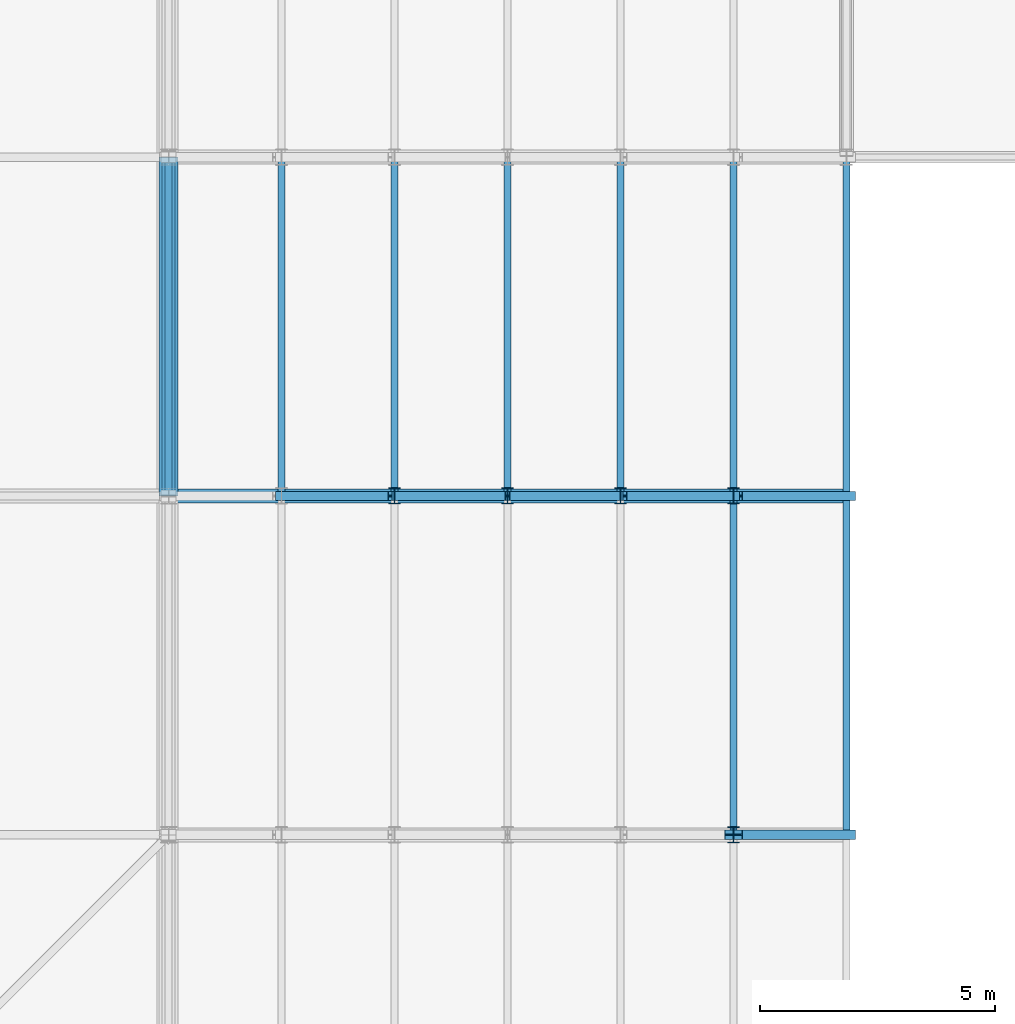
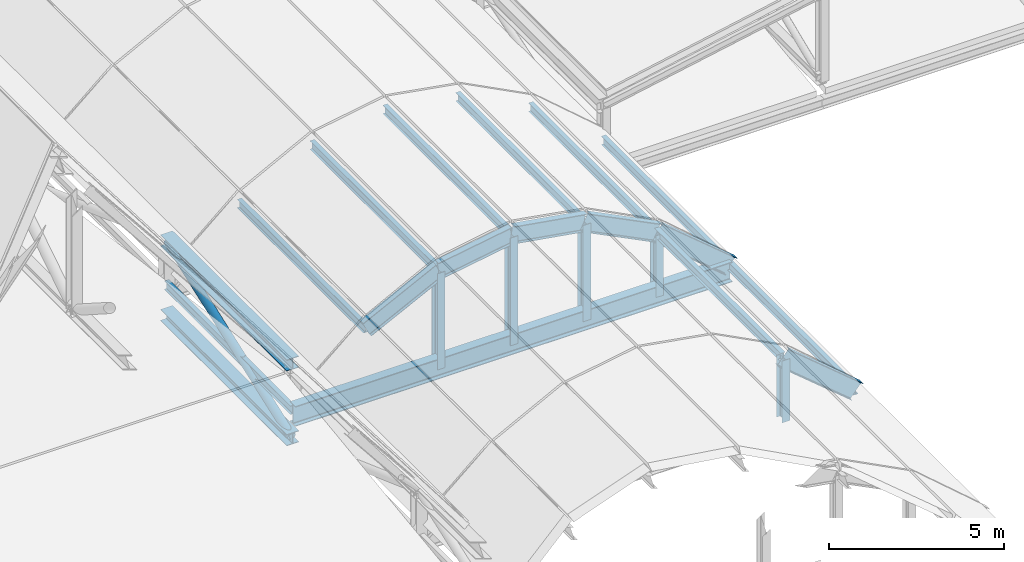
# One storey, part 22 of 60: 23 members, 1 beam.
"""IFC4 building model written with IfcOpenShell, lengths in metres."""

from ifc_helpers import new_model, si_unit, direction, frame, origin, origin_2d, place, context, subcontext, project, spatial, hollow_circle, i_section, extrude, material, material_profile, profile_set, type_object, element, save


model = new_model("IFC4")

# Units and contexts
model_context = context("Model", 3, precision=1e-05, world=origin(), true_north=direction((0.0, 1.0)))
body_context = subcontext(model_context, "Body", "Model", "MODEL_VIEW")
ifc_project = project(units=[si_unit("LENGTHUNIT", "METRE"), si_unit("AREAUNIT", "SQUARE_METRE"), si_unit("VOLUMEUNIT", "CUBIC_METRE"), si_unit("PLANEANGLEUNIT", "RADIAN"), si_unit("MASSUNIT", "GRAM", prefix="KILO")], contexts=[model_context])

# Site, building, storey
site_placement = place(None, origin())
site = spatial("IfcSite", under=ifc_project, at=site_placement, CompositionType="ELEMENT")
building_placement = place(site_placement, origin())
building = spatial("IfcBuilding", under=site, at=building_placement, Name="Vesperath Aquatics Centre", CompositionType="ELEMENT")
storey_placement = place(building_placement, frame((0.0, 0.0, 27.60009765625)))
storey = spatial("IfcBuildingStorey", under=building, at=storey_placement, Name="RF", CompositionType="ELEMENT", Elevation=27.60009765625)

# Beam
ifc_material_1 = material(Name="Steel Q355D", Category="steel")
ifc_material_profile_1 = material_profile(ifc_material_1, i_section(OverallWidth=0.300048828125, OverallDepth=0.699951171875, WebThickness=0.012939453125, FlangeThickness=0.02392578125, FilletRadius=0.028076171875, at=origin_2d()), Name="HN 700x300x13x24")
ifc_profile_set_1 = profile_set([ifc_material_profile_1], Name="Steel Q355D")
beam_type = type_object("IfcBeamType", Name="BM-RB10", PredefinedType="BEAM", material=ifc_profile_set_1)
beam_placement = place(storey_placement, frame((100.800048828125, 57.60009765625, -11.550048828125), z_axis=(1.0, 0.0, 0.0), x_axis=(0.0, 1.0, 0.0)))
element("IfcBeam", 1, at=beam_placement, inside=storey, type_object=beam_type, Name="Conservatory Arch Tie Beam B08 J", PredefinedType="BEAM", context=body_context, shape_type="SweptSolid", body=[
    extrude(i_section(OverallWidth=0.300048828125, OverallDepth=0.699951171875, WebThickness=0.012939453125, FlangeThickness=0.02392578125, FilletRadius=0.028076171875, at=origin_2d()), origin(), (0.0, 0.0, 1.0), 14.39990234375),
])

# Members
ifc_material_profile_2 = material_profile(ifc_material_1, i_section(OverallWidth=0.199951171875, OverallDepth=0.60009765625, WebThickness=0.010986328125, FlangeThickness=0.01708984375, FilletRadius=0.02197265625, at=origin_2d()), Name="HN 600x200x11x17")
ifc_profile_set_2 = profile_set([ifc_material_profile_2], Name="Steel Q355D")
member_type_1 = type_object("IfcMemberType", Name="MB-AR01", PredefinedType="RAFTER", material=ifc_profile_set_2)
member_1_placement = place(storey_placement, frame((112.800048828125, 50.39990234375, -9.400146484375), z_axis=(0.768208468069, 0.0, -0.640199773186), x_axis=(0.0, 1.0, 0.0)))
element("IfcMember", 2, at=member_1_placement, inside=storey, type_object=member_type_1, Name="Conservatory Vault Arch Rib AR01 H-6", PredefinedType="RAFTER", context=body_context, shape_type="SweptSolid", body=[
    extrude(i_section(OverallWidth=0.199951171875, OverallDepth=0.60009765625, WebThickness=0.010986328125, FlangeThickness=0.01708984375, FilletRadius=0.02197265625, at=origin_2d()), origin(), (0.0, 0.0, 1.0), 3.1240234375),
])
member_2_placement = place(storey_placement, frame((103.199951171875, 57.60009765625, -9.400146484375), z_axis=(0.894445386687, 0.0, 0.447177202275), x_axis=(0.0, 1.0, 0.0)))
element("IfcMember", 3, at=member_2_placement, inside=storey, type_object=member_type_1, Name="Conservatory Vault Arch Rib AR01 J-2", PredefinedType="RAFTER", context=body_context, shape_type="SweptSolid", body=[
    extrude(i_section(OverallWidth=0.199951171875, OverallDepth=0.60009765625, WebThickness=0.010986328125, FlangeThickness=0.01708984375, FilletRadius=0.02197265625, at=origin_2d()), origin(), (0.0, 0.0, 1.0), 2.683349609375),
])
for number, where, z_axis, x_axis, name in (
    (4, (105.60009765625, 57.60009765625, -8.2001953125), (0.986383073668, 0.0, 0.16446407505), (0.0, 1.0, 0.0), "Conservatory Vault Arch Rib AR01 J-3"),
    (5, (108.0, 57.60009765625, -7.800048828125), (0.986383073668, 0.0, -0.16446407505), (0.0, 1.0, 0.0), "Conservatory Vault Arch Rib AR01 J-4"),
):
    element("IfcMember", number, at=place(storey_placement, frame(where, z_axis=z_axis, x_axis=x_axis)), inside=storey, type_object=member_type_1, Name=name, PredefinedType="RAFTER", context=body_context, shape_type="SweptSolid", body=[
        extrude(i_section(OverallWidth=0.199951171875, OverallDepth=0.60009765625, WebThickness=0.010986328125, FlangeThickness=0.01708984375, FilletRadius=0.02197265625, at=origin_2d()), origin(), (0.0, 0.0, 1.0), 2.43310546875),
    ])
member_3_placement = place(storey_placement, frame((110.39990234375, 57.60009765625, -8.2001953125), z_axis=(0.894445386687, 0.0, -0.447177202275), x_axis=(0.0, 1.0, 0.0)))
element("IfcMember", 6, at=member_3_placement, inside=storey, type_object=member_type_1, Name="Conservatory Vault Arch Rib AR01 J-5", PredefinedType="RAFTER", context=body_context, shape_type="SweptSolid", body=[
    extrude(i_section(OverallWidth=0.199951171875, OverallDepth=0.60009765625, WebThickness=0.010986328125, FlangeThickness=0.01708984375, FilletRadius=0.02197265625, at=origin_2d()), origin(), (0.0, 0.0, 1.0), 2.683349609375),
])
member_4_placement = place(storey_placement, frame((112.800048828125, 57.60009765625, -9.400146484375), z_axis=(0.768208468069, 0.0, -0.640199773186), x_axis=(0.0, 1.0, 0.0)))
element("IfcMember", 7, at=member_4_placement, inside=storey, type_object=member_type_1, Name="Conservatory Vault Arch Rib AR01 J-6", PredefinedType="RAFTER", context=body_context, shape_type="SweptSolid", body=[
    extrude(i_section(OverallWidth=0.199951171875, OverallDepth=0.60009765625, WebThickness=0.010986328125, FlangeThickness=0.01708984375, FilletRadius=0.02197265625, at=origin_2d()), origin(), (0.0, 0.0, 1.0), 3.1240234375),
])
ifc_material_profile_3 = material_profile(ifc_material_1, i_section(OverallWidth=0.39990234375, OverallDepth=0.39990234375, WebThickness=0.012939453125, FlangeThickness=0.02099609375, FilletRadius=0.02197265625, at=origin_2d()), Name="HW 400x400x13x21")
ifc_profile_set_3 = profile_set([ifc_material_profile_3], Name="Steel Q355D")
member_type_2 = type_object("IfcMemberType", Name="MB-BC01", PredefinedType="CHORD", material=ifc_profile_set_3)
member_5_placement = place(storey_placement, frame((100.800048828125, 57.60009765625, -12.400146484375), z_axis=(0.0, 1.0, 0.0), x_axis=(-1.0, 0.0, 0.0)))
element("IfcMember", 8, at=member_5_placement, inside=storey, type_object=member_type_2, Name="Natatorium ROOF TRUSS Bottom Chord BC01 G15-9", PredefinedType="CHORD", context=body_context, shape_type="SweptSolid", body=[
    extrude(i_section(OverallWidth=0.39990234375, OverallDepth=0.39990234375, WebThickness=0.012939453125, FlangeThickness=0.02099609375, FilletRadius=0.02197265625, at=origin_2d()), origin(), (0.0, 0.0, 1.0), 7.199951171875),
])
ifc_material_2 = material(Name="Steel Q355C", Category="steel")
ifc_material_profile_4 = material_profile(ifc_material_2, i_section(OverallWidth=0.14990234375, OverallDepth=0.300048828125, WebThickness=0.006591796875, FlangeThickness=0.009033203125, FilletRadius=0.012939453125, at=origin_2d()), Name="HN 300x150x6.5x9")
ifc_profile_set_4 = profile_set([ifc_material_profile_4], Name="Steel Q355C")
member_type_3 = type_object("IfcMemberType", Name="MB-PR02", PredefinedType="PURLIN", material=ifc_profile_set_4)
for number, where, z_axis, x_axis, name in (
    (9, (112.800048828125, 50.39990234375, -9.400146484375), (0.0, 1.0, 0.0), (-1.0, 0.0, 0.0), "Conservatory Vault Purlin PR02 H-6"),
    (10, (115.199951171875, 50.39990234375, -11.400146484375), (0.0, 1.0, 0.0), (-1.0, 0.0, 0.0), "Conservatory Vault Purlin PR02 H-7"),
):
    element("IfcMember", number, at=place(storey_placement, frame(where, z_axis=z_axis, x_axis=x_axis)), inside=storey, type_object=member_type_3, Name=name, PredefinedType="PURLIN", context=body_context, shape_type="SweptSolid", body=[
        extrude(i_section(OverallWidth=0.14990234375, OverallDepth=0.300048828125, WebThickness=0.006591796875, FlangeThickness=0.009033203125, FilletRadius=0.012939453125, at=origin_2d()), origin(), (0.0, 0.0, 1.0), 7.2001953125),
    ])
for number, where, z_axis, x_axis, name in (
    (11, (100.800048828125, 57.60009765625, -11.400146484375), (0.0, 1.0, 0.0), (-1.0, 0.0, 0.0), "Conservatory Vault Purlin PR02 J-1"),
    (12, (103.199951171875, 57.60009765625, -9.400146484375), (0.0, 1.0, 0.0), (-1.0, 0.0, 0.0), "Conservatory Vault Purlin PR02 J-2"),
    (13, (105.60009765625, 57.60009765625, -8.2001953125), (0.0, 1.0, 0.0), (-1.0, 0.0, 0.0), "Conservatory Vault Purlin PR02 J-3"),
    (14, (108.0, 57.60009765625, -7.800048828125), (0.0, 1.0, 0.0), (-1.0, 0.0, 0.0), "Conservatory Vault Purlin PR02 J-4"),
    (15, (110.39990234375, 57.60009765625, -8.2001953125), (0.0, 1.0, 0.0), (-1.0, 0.0, 0.0), "Conservatory Vault Purlin PR02 J-5"),
    (16, (112.800048828125, 57.60009765625, -9.400146484375), (0.0, 1.0, 0.0), (-1.0, 0.0, 0.0), "Conservatory Vault Purlin PR02 J-6"),
    (17, (115.199951171875, 57.60009765625, -11.400146484375), (0.0, 1.0, 0.0), (-1.0, 0.0, 0.0), "Conservatory Vault Purlin PR02 J-7"),
):
    element("IfcMember", number, at=place(storey_placement, frame(where, z_axis=z_axis, x_axis=x_axis)), inside=storey, type_object=member_type_3, Name=name, PredefinedType="PURLIN", context=body_context, shape_type="SweptSolid", body=[
        extrude(i_section(OverallWidth=0.14990234375, OverallDepth=0.300048828125, WebThickness=0.006591796875, FlangeThickness=0.009033203125, FilletRadius=0.012939453125, at=origin_2d()), origin(), (0.0, 0.0, 1.0), 7.199951171875),
    ])
ifc_material_profile_5 = material_profile(ifc_material_1, i_section(OverallWidth=0.39990234375, OverallDepth=0.39990234375, WebThickness=0.012939453125, FlangeThickness=0.02099609375, FilletRadius=0.02197265625, at=origin_2d()), Name="HW 400x400x13x21")
ifc_profile_set_5 = profile_set([ifc_material_profile_5], Name="Steel Q355D")
member_type_4 = type_object("IfcMemberType", Name="MB-TC02", PredefinedType="CHORD", material=ifc_profile_set_5)
member_6_placement = place(storey_placement, frame((100.800048828125, 57.60009765625, -9.800048828125), z_axis=(0.0, 1.0, 0.0), x_axis=(-1.0, 0.0, 0.0)))
element("IfcMember", 18, at=member_6_placement, inside=storey, type_object=member_type_4, Name="Natatorium ROOF TRUSS Top Chord TC02 G15-9", PredefinedType="CHORD", context=body_context, shape_type="SweptSolid", body=[
    extrude(i_section(OverallWidth=0.39990234375, OverallDepth=0.39990234375, WebThickness=0.012939453125, FlangeThickness=0.02099609375, FilletRadius=0.02197265625, at=origin_2d()), origin(), (0.0, 0.0, 1.0), 7.199951171875),
])
ifc_material_profile_6 = material_profile(ifc_material_1, hollow_circle(Radius=0.136474609375, WallThickness=0.011962890625, at=origin_2d()), Name="CHS 273.0x12")
ifc_profile_set_6 = profile_set([ifc_material_profile_6], Name="Steel Q355D")
member_type_5 = type_object("IfcMemberType", Name="MB-TD02", PredefinedType="BRACE", material=ifc_profile_set_6)
member_7_placement = place(storey_placement, frame((100.800048828125, 57.67529296875, -12.373046875), z_axis=(0.0, 0.940544360889, 0.339670877761), x_axis=(-1.0, 0.0, 0.0)))
element("IfcMember", 19, at=member_7_placement, inside=storey, type_object=member_type_5, Name="Natatorium ROOF TRUSS Diagonal TD02 G15-9", PredefinedType="BRACE", context=body_context, shape_type="SweptSolid", body=[
    extrude(hollow_circle(Radius=0.136474609375, WallThickness=0.011962890625, at=origin_2d()), origin(), (0.0, 0.0, 1.0), 7.4951171875),
])
ifc_material_profile_7 = material_profile(ifc_material_1, i_section(OverallWidth=0.25, OverallDepth=0.340087890625, WebThickness=0.009033203125, FlangeThickness=0.013916015625, FilletRadius=0.02001953125, at=origin_2d()), Name="HM 340x250x9x14")
ifc_profile_set_7 = profile_set([ifc_material_profile_7], Name="Steel Q355D")
member_type_6 = type_object("IfcMemberType", Name="MB-TP02", PredefinedType="POST", material=ifc_profile_set_7)
member_8_placement = place(storey_placement, frame((112.800048828125, 50.39990234375, -11.550048828125), z_axis=(0.0, 0.0, 1.0), x_axis=(1.0, 0.0, 0.0)))
element("IfcMember", 20, at=member_8_placement, inside=storey, type_object=member_type_6, Name="Conservatory Vault Post TP02 H-5", PredefinedType="POST", context=body_context, shape_type="SweptSolid", body=[
    extrude(i_section(OverallWidth=0.25, OverallDepth=0.340087890625, WebThickness=0.009033203125, FlangeThickness=0.013916015625, FilletRadius=0.02001953125, at=origin_2d()), origin(), (0.0, 0.0, 1.0), 2.14990234375),
])
member_9_placement = place(storey_placement, frame((105.60009765625, 57.60009765625, -11.550048828125), z_axis=(0.0, 0.0, 1.0), x_axis=(1.0, 0.0, 0.0)))
element("IfcMember", 21, at=member_9_placement, inside=storey, type_object=member_type_6, Name="Conservatory Vault Post TP02 J-2", PredefinedType="POST", context=body_context, shape_type="SweptSolid", body=[
    extrude(i_section(OverallWidth=0.25, OverallDepth=0.340087890625, WebThickness=0.009033203125, FlangeThickness=0.013916015625, FilletRadius=0.02001953125, at=origin_2d()), origin(), (0.0, 0.0, 1.0), 3.349853515625),
])
member_10_placement = place(storey_placement, frame((108.0, 57.60009765625, -11.550048828125), z_axis=(0.0, 0.0, 1.0), x_axis=(1.0, 0.0, 0.0)))
element("IfcMember", 22, at=member_10_placement, inside=storey, type_object=member_type_6, Name="Conservatory Vault Post TP02 J-3", PredefinedType="POST", context=body_context, shape_type="SweptSolid", body=[
    extrude(i_section(OverallWidth=0.25, OverallDepth=0.340087890625, WebThickness=0.009033203125, FlangeThickness=0.013916015625, FilletRadius=0.02001953125, at=origin_2d()), origin(), (0.0, 0.0, 1.0), 3.75),
])
member_11_placement = place(storey_placement, frame((110.39990234375, 57.60009765625, -11.550048828125), z_axis=(0.0, 0.0, 1.0), x_axis=(1.0, 0.0, 0.0)))
element("IfcMember", 23, at=member_11_placement, inside=storey, type_object=member_type_6, Name="Conservatory Vault Post TP02 J-4", PredefinedType="POST", context=body_context, shape_type="SweptSolid", body=[
    extrude(i_section(OverallWidth=0.25, OverallDepth=0.340087890625, WebThickness=0.009033203125, FlangeThickness=0.013916015625, FilletRadius=0.02001953125, at=origin_2d()), origin(), (0.0, 0.0, 1.0), 3.349853515625),
])
member_12_placement = place(storey_placement, frame((112.800048828125, 57.60009765625, -11.550048828125), z_axis=(0.0, 0.0, 1.0), x_axis=(1.0, 0.0, 0.0)))
element("IfcMember", 24, at=member_12_placement, inside=storey, type_object=member_type_6, Name="Conservatory Vault Post TP02 J-5", PredefinedType="POST", context=body_context, shape_type="SweptSolid", body=[
    extrude(i_section(OverallWidth=0.25, OverallDepth=0.340087890625, WebThickness=0.009033203125, FlangeThickness=0.013916015625, FilletRadius=0.02001953125, at=origin_2d()), origin(), (0.0, 0.0, 1.0), 2.14990234375),
])

save(model, "model.ifc")
